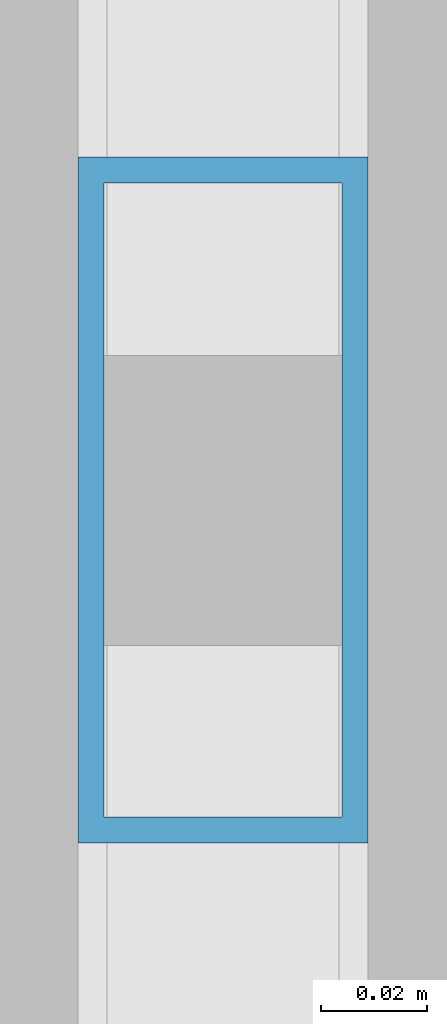
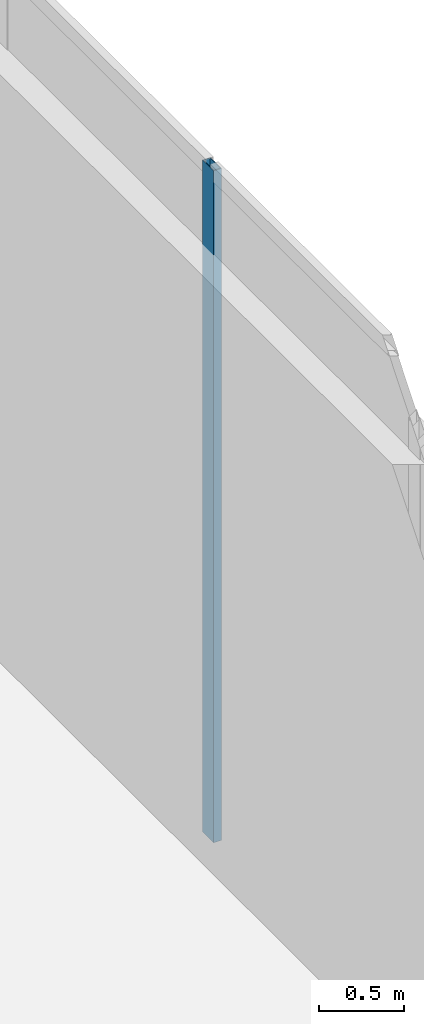
# One storey, part 45 of 147: 1 member, 1 element without a shape of its own.
"""IFC4 building model written with IfcOpenShell, lengths in metres."""

from ifc_helpers import new_model, si_unit, direction, frame, origin, origin_2d, place, context, subcontext, project, spatial, hollow_rectangle, extrude, material, layer, layer_set, material_profile, profile_set, type_object, element, aggregate, save


model = new_model("IFC4")

# Units and contexts
model_context = context("Model", 3, precision=1e-05, world=origin(), true_north=direction((0.0, 1.0)))
body_context = subcontext(model_context, "Body", "Model", "MODEL_VIEW")
ifc_project = project(units=[si_unit("LENGTHUNIT", "METRE"), si_unit("AREAUNIT", "SQUARE_METRE"), si_unit("VOLUMEUNIT", "CUBIC_METRE"), si_unit("PLANEANGLEUNIT", "RADIAN"), si_unit("MASSUNIT", "GRAM", prefix="KILO")], contexts=[model_context])

# Site, building, storey
site_placement = place(None, origin())
site = spatial("IfcSite", under=ifc_project, at=site_placement, CompositionType="ELEMENT")
building_placement = place(site_placement, origin())
building = spatial("IfcBuilding", under=site, at=building_placement, Name="Zilviju Railside Exhibition Hall", CompositionType="ELEMENT")
storey_placement = place(building_placement, frame((0.0, 0.0, 8.39990234375)))
storey = spatial("IfcBuildingStorey", under=building, at=storey_placement, Name="L03", CompositionType="ELEMENT", Elevation=8.39990234375)

# Curtain wall, member
ifc_material_1 = material(Name="Thermally broken aluminium-steel triple-glazed curtain wall", Category="steel")
ifc_layer = layer(ifc_material_1, 0.179931640625)
ifc_layer_set = layer_set([ifc_layer], Name="Thermally broken aluminium-steel triple-glazed curtain wall")
curtain_wall_type = type_object("IfcCurtainWallType", Name="CW-BAY-20", PredefinedType="USERDEFINED", material=ifc_layer_set)
curtain_wall_placement = place(storey_placement, origin())
curtain_wall = element("IfcCurtainWall", 1, at=curtain_wall_placement, inside=storey, type_object=curtain_wall_type, Name="South Hall West Upper Glazed Gable (18..36)", ObjectType="GLAZED CURTAIN WALL", PredefinedType="USERDEFINED")
ifc_material_2 = material(Name="Thermally broken anodized aluminium mullion", Category="aluminium")
ifc_material_profile = material_profile(ifc_material_2, hollow_rectangle(XDim=0.054931640625, YDim=0.1298828125, WallThickness=0.0048828125, at=origin_2d()), Name="MULLION 130x55x5")
ifc_profile_set = profile_set([ifc_material_profile], Name="Thermally broken anodized aluminium mullion")
member_type = type_object("IfcMemberType", Name="CWM-55x130", PredefinedType="MULLION", material=ifc_profile_set)
member_placement = place(storey_placement, frame((78.0, 25.79296875, 0.0), z_axis=(0.0, 0.0, 1.0), x_axis=(-1.0, 0.0, 0.0)))
member = element("IfcMember", 2, at=member_placement, type_object=member_type, Name="CW-20 mullion 4", PredefinedType="MULLION", context=body_context, shape_type="SweptSolid", body=[
    extrude(hollow_rectangle(XDim=0.054931640625, YDim=0.1298828125, WallThickness=0.0048828125, at=origin_2d()), origin(), (0.0, 0.0, 1.0), 4.800048828125),
])
aggregate(curtain_wall, [member])

save(model, "model.ifc")
